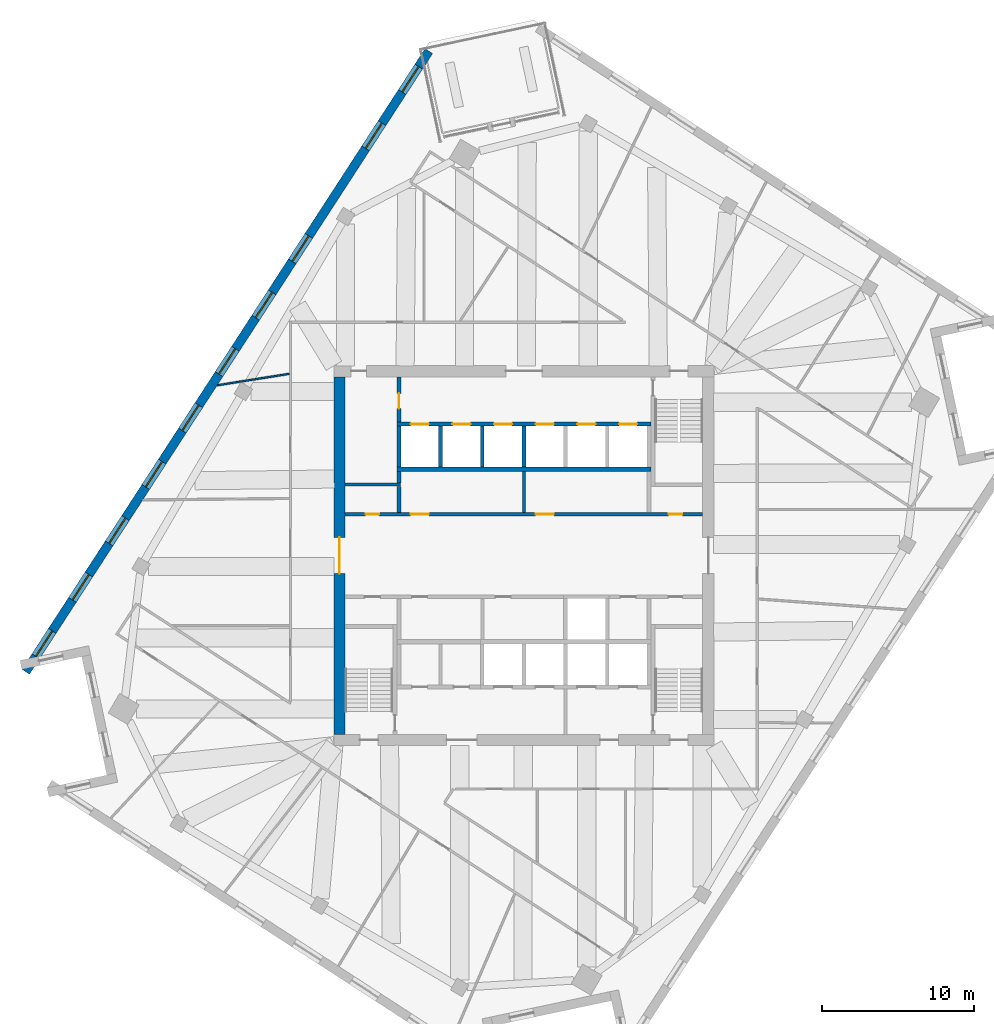
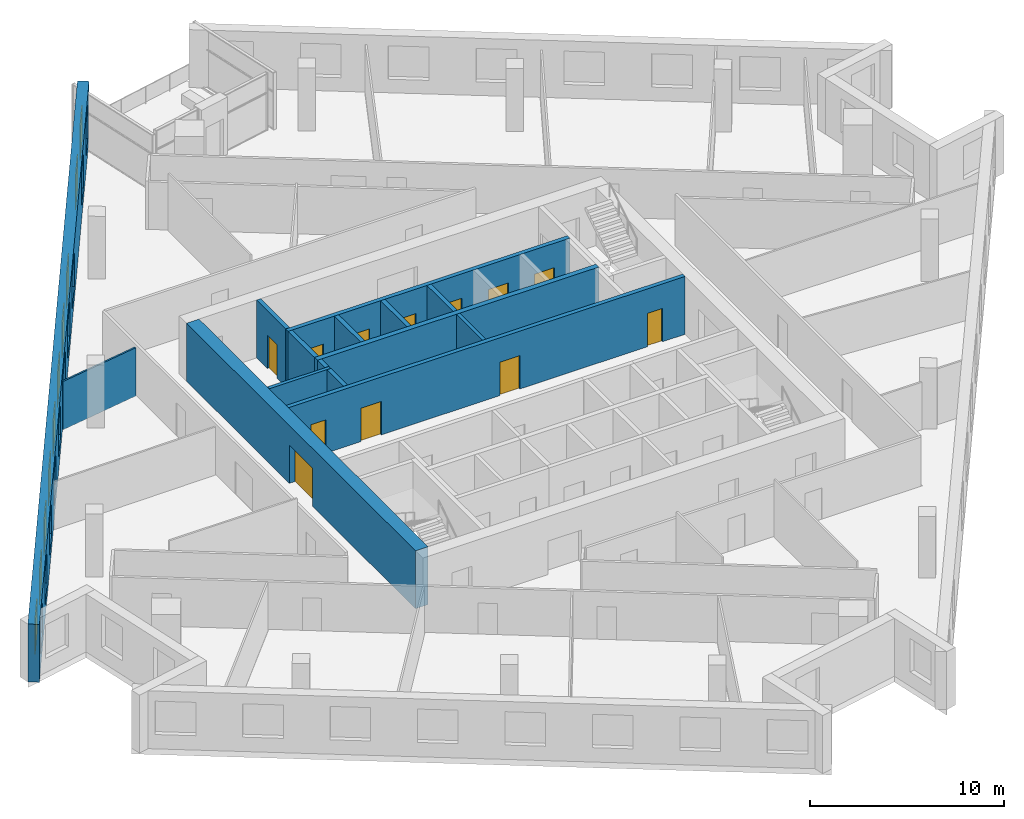
# One storey, part 8 of 12: 15 walls, 12 doors, 10 windows, 22 openings.
"""IFC4 building model written with IfcOpenShell, lengths in metres."""

from ifc_helpers import new_model, si_unit, direction, frame, frame_2d, origin, place, context, subcontext, project, spatial, rectangle, extrude, material, layer, layer_set, type_object, element, fill, save


model = new_model("IFC4")

# Units and contexts
model_context = context("Model", 3, precision=1e-05, world=origin(), true_north=direction((0.0, 1.0)))
body_context = subcontext(model_context, "Body", "Model", "MODEL_VIEW")
ifc_project = project(units=[si_unit("LENGTHUNIT", "METRE"), si_unit("AREAUNIT", "SQUARE_METRE"), si_unit("VOLUMEUNIT", "CUBIC_METRE"), si_unit("PLANEANGLEUNIT", "RADIAN"), si_unit("MASSUNIT", "GRAM", prefix="KILO")], contexts=[model_context])

# Site, building, storey
site_placement = place(None, origin())
site = spatial("IfcSite", under=ifc_project, at=site_placement, CompositionType="ELEMENT")
building_placement = place(site_placement, origin())
building = spatial("IfcBuilding", under=site, at=building_placement, Name="Dilmun Exchange Tower", CompositionType="ELEMENT")
storey_placement = place(building_placement, frame((0.0, 0.0, 258.89990234375)))
storey = spatial("IfcBuildingStorey", under=building, at=storey_placement, Name="L61", CompositionType="ELEMENT", Elevation=258.89990234375)

# Walls
ifc_material_1 = material(Name="Concrete C40/50", Category="concrete")
ifc_layer_1 = layer(ifc_material_1, 0.199951171875)
ifc_layer_set_1 = layer_set([ifc_layer_1], Name="Concrete C40/50")
wall_type_1 = type_object("IfcWallType", Name="Core partition wall 200", PredefinedType="PARTITIONING", material=ifc_layer_set_1)
wall_1_placement = place(storey_placement, frame((0.0, 2.85498046875, 0.0), z_axis=(0.0, 0.0, 1.0), x_axis=(0.0, 1.0, 0.0)))
element("IfcWall", 1, at=wall_1_placement, inside=storey, type_object=wall_type_1, Name="L61 core partition wall 13", PredefinedType="PARTITIONING", context=body_context, shape_type="SweptSolid", body=[
    extrude(rectangle(XDim=2.68994140625, YDim=0.199951171875, at=frame_2d((1.344970703125, 0.0))), origin(), (0.0, 0.0, 1.0), 3.64013671875),
])
wall_2_placement = place(storey_placement, frame((-11.794921875, 4.675048828125, 0.0), z_axis=(0.0, 0.0, 1.0), x_axis=(1.0, 0.0, 0.0)))
element("IfcWall", 2, at=wall_2_placement, inside=storey, type_object=wall_type_1, Name="L61 core partition wall 15", PredefinedType="PARTITIONING", context=body_context, shape_type="SweptSolid", body=[
    extrude(rectangle(XDim=3.64501953125, YDim=0.199951171875, at=frame_2d((1.822509765625, 0.0))), origin(), (0.0, 0.0, 1.0), 3.64013671875),
])

# Wall, openings, doors
ifc_layer_2 = layer(ifc_material_1, 0.25)
ifc_layer_set_2 = layer_set([ifc_layer_2], Name="Concrete C40/50")
wall_type_2 = type_object("IfcWallType", Name="Core partition wall 250", PredefinedType="PARTITIONING", material=ifc_layer_set_2)
wall_3_placement = place(storey_placement, frame((-11.794921875, 2.72509765625, 0.0), z_axis=(0.0, 0.0, 1.0), x_axis=(1.0, 0.0, 0.0)))
wall_3 = element("IfcWall", 3, at=wall_3_placement, inside=storey, type_object=wall_type_2, Name="L61 core partition wall 11", PredefinedType="PARTITIONING", context=body_context, shape_type="SweptSolid", body=[
    extrude(rectangle(XDim=23.58984375, YDim=0.25, at=frame_2d((11.794921875, 0.0))), origin(), (0.0, 0.0, 1.0), 3.64013671875),
])
opening_1_placement = place(wall_3_placement, frame((21.344970703125, 0.0, 0.0)))
opening_1 = element("IfcOpeningElement", 4, at=opening_1_placement, cuts=wall_3, Name="Opening CD6", PredefinedType="OPENING", context=body_context, shape_type="SweptSolid", body=[
    extrude(rectangle(XDim=0.89990234375, YDim=2.10009765625, at=frame_2d((0.449951171875, 1.050048828125))), frame((0.0, 0.135009765625, 0.0), z_axis=(0.0, -1.0, 0.0), x_axis=(1.0, 0.0, 0.0)), (0.0, 0.0, 1.0), 0.27001953125),
])
opening_2_placement = place(wall_3_placement, frame((1.344970703125, 0.0, 0.0)))
opening_2 = element("IfcOpeningElement", 5, at=opening_2_placement, cuts=wall_3, Name="Opening CD6", PredefinedType="OPENING", context=body_context, shape_type="SweptSolid", body=[
    extrude(rectangle(XDim=0.89990234375, YDim=2.10009765625, at=frame_2d((0.449951171875, 1.050048828125))), frame((0.0, 0.135009765625, 0.0), z_axis=(0.0, -1.0, 0.0), x_axis=(1.0, 0.0, 0.0)), (0.0, 0.0, 1.0), 0.27001953125),
])
opening_3_placement = place(wall_3_placement, frame((4.320068359375, 0.0, 0.0)))
opening_3 = element("IfcOpeningElement", 6, at=opening_3_placement, cuts=wall_3, Name="Opening CD3", PredefinedType="OPENING", context=body_context, shape_type="SweptSolid", body=[
    extrude(rectangle(XDim=1.199951171875, YDim=2.10009765625, at=frame_2d((0.60009765625, 1.050048828125))), frame((0.0, 0.135009765625, 0.0), z_axis=(0.0, -1.0, 0.0), x_axis=(1.0, 0.0, 0.0)), (0.0, 0.0, 1.0), 0.27001953125),
])
opening_4_placement = place(wall_3_placement, frame((12.570068359375, 0.0, 0.0)))
opening_4 = element("IfcOpeningElement", 7, at=opening_4_placement, cuts=wall_3, Name="Opening CD3", PredefinedType="OPENING", context=body_context, shape_type="SweptSolid", body=[
    extrude(rectangle(XDim=1.199951171875, YDim=2.10009765625, at=frame_2d((0.60009765625, 1.050048828125))), frame((0.0, 0.135009765625, 0.0), z_axis=(0.0, -1.0, 0.0), x_axis=(1.0, 0.0, 0.0)), (0.0, 0.0, 1.0), 0.27001953125),
])
ifc_material_2 = material(Name="Fire-rated steel door set", Category="steel")
door_type_1 = type_object("IfcDoorType", Name="Core room door 900x2100", OperationType="SINGLE_SWING_LEFT", PredefinedType="DOOR", material=ifc_material_2)
door_1_placement = place(opening_1_placement, origin())
door_1 = element("IfcDoor", 8, at=door_1_placement, inside=storey, type_object=door_type_1, Name="L61 door Electrical riser", OperationType="SINGLE_SWING_RIGHT", OverallHeight=2.10009765625, OverallWidth=0.89990234375, PredefinedType="DOOR", context=body_context, shape_type="SweptSolid", body=[
    extrude(rectangle(XDim=0.89990234375, YDim=2.10009765625, at=frame_2d((0.449951171875, 1.050048828125))), frame((0.0, 0.02490234375, 0.0), z_axis=(0.0, -1.0, 0.0), x_axis=(1.0, 0.0, 0.0)), (0.0, 0.0, 1.0), 0.050048828125),
])
fill(opening_1, door_1)
door_2_placement = place(opening_2_placement, origin())
door_2 = element("IfcDoor", 9, at=door_2_placement, inside=storey, type_object=door_type_1, Name="L61 door Plumbing riser", OperationType="SINGLE_SWING_RIGHT", OverallHeight=2.10009765625, OverallWidth=0.89990234375, PredefinedType="DOOR", context=body_context, shape_type="SweptSolid", body=[
    extrude(rectangle(XDim=0.89990234375, YDim=2.10009765625, at=frame_2d((0.449951171875, 1.050048828125))), frame((0.0, 0.02490234375, 0.0), z_axis=(0.0, -1.0, 0.0), x_axis=(1.0, 0.0, 0.0)), (0.0, 0.0, 1.0), 0.050048828125),
])
fill(opening_2, door_2)
door_type_2 = type_object("IfcDoorType", Name="Stair exit door 1200x2100", OperationType="SINGLE_SWING_LEFT", PredefinedType="DOOR", material=ifc_material_2)
door_3_placement = place(opening_3_placement, origin())
door_3 = element("IfcDoor", 10, at=door_3_placement, inside=storey, type_object=door_type_2, Name="L61 door Facilities workshop", OperationType="SINGLE_SWING_LEFT", OverallHeight=2.10009765625, OverallWidth=1.199951171875, PredefinedType="DOOR", context=body_context, shape_type="SweptSolid", body=[
    extrude(rectangle(XDim=1.199951171875, YDim=2.10009765625, at=frame_2d((0.60009765625, 1.050048828125))), frame((0.0, 0.02490234375, 0.0), z_axis=(0.0, -1.0, 0.0), x_axis=(1.0, 0.0, 0.0)), (0.0, 0.0, 1.0), 0.050048828125),
])
fill(opening_3, door_3)
door_4_placement = place(opening_4_placement, origin())
door_4 = element("IfcDoor", 11, at=door_4_placement, inside=storey, type_object=door_type_2, Name="L61 door Quiet working room", OperationType="SINGLE_SWING_LEFT", OverallHeight=2.10009765625, OverallWidth=1.199951171875, PredefinedType="DOOR", context=body_context, shape_type="SweptSolid", body=[
    extrude(rectangle(XDim=1.199951171875, YDim=2.10009765625, at=frame_2d((0.60009765625, 1.050048828125))), frame((0.0, 0.02490234375, 0.0), z_axis=(0.0, -1.0, 0.0), x_axis=(1.0, 0.0, 0.0)), (0.0, 0.0, 1.0), 0.050048828125),
])
fill(opening_4, door_4)

# Walls
wall_4_placement = place(storey_placement, frame((-8.25, 2.85498046875, 0.0), z_axis=(0.0, 0.0, 1.0), x_axis=(0.0, 1.0, 0.0)))
element("IfcWall", 12, at=wall_4_placement, inside=storey, type_object=wall_type_2, Name="L61 core partition wall 12", PredefinedType="PARTITIONING", context=body_context, shape_type="SweptSolid", body=[
    extrude(rectangle(XDim=1.715087890625, YDim=0.25, at=frame_2d((0.857421875, 0.0))), origin(), (0.0, 0.0, 1.0), 3.64013671875),
])
wall_5_placement = place(storey_placement, frame((-8.25, 4.780029296875, 0.0), z_axis=(0.0, 0.0, 1.0), x_axis=(0.0, 1.0, 0.0)))
element("IfcWall", 13, at=wall_5_placement, inside=storey, type_object=wall_type_2, Name="L61 core partition wall 16", PredefinedType="PARTITIONING", context=body_context, shape_type="SweptSolid", body=[
    extrude(rectangle(XDim=0.764892578125, YDim=0.25, at=frame_2d((0.38232421875, 0.0))), origin(), (0.0, 0.0, 1.0), 3.64013671875),
])

# Wall, opening, door
wall_6_placement = place(storey_placement, frame((-8.25, 8.804931640625, 0.0), z_axis=(0.0, 0.0, 1.0), x_axis=(0.0, 1.0, 0.0)))
wall_6 = element("IfcWall", 14, at=wall_6_placement, inside=storey, type_object=wall_type_2, Name="L61 core partition wall 17", PredefinedType="PARTITIONING", context=body_context, shape_type="SweptSolid", body=[
    extrude(rectangle(XDim=2.989990234375, YDim=0.25, at=frame_2d((1.4951171875, 0.0))), origin(), (0.0, 0.0, 1.0), 3.64013671875),
])
opening_5_placement = place(wall_6_placement, frame((0.89501953125, 0.0, 0.0)))
opening_5 = element("IfcOpeningElement", 15, at=opening_5_placement, cuts=wall_6, Name="Opening CD4", PredefinedType="OPENING", context=body_context, shape_type="SweptSolid", body=[
    extrude(rectangle(XDim=1.0, YDim=2.10009765625, at=frame_2d((0.5, 1.050048828125))), frame((0.0, 0.135009765625, 0.0), z_axis=(0.0, -1.0, 0.0), x_axis=(1.0, 0.0, 0.0)), (0.0, 0.0, 1.0), 0.27001953125),
])
door_type_3 = type_object("IfcDoorType", Name="Core room door 1000x2100", OperationType="SINGLE_SWING_LEFT", PredefinedType="DOOR", material=ifc_material_2)
door_5_placement = place(opening_5_placement, origin())
door_5 = element("IfcDoor", 16, at=door_5_placement, inside=storey, type_object=door_type_3, Name="L61 door Building services room", OperationType="SINGLE_SWING_RIGHT", OverallHeight=2.10009765625, OverallWidth=1.0, PredefinedType="DOOR", context=body_context, shape_type="SweptSolid", body=[
    extrude(rectangle(XDim=1.0, YDim=2.10009765625, at=frame_2d((0.5, 1.050048828125))), frame((0.0, 0.02490234375, 0.0), z_axis=(0.0, -1.0, 0.0), x_axis=(1.0, 0.0, 0.0)), (0.0, 0.0, 1.0), 0.050048828125),
])
fill(opening_5, door_5)

ifc_material_3 = material(Name="Concrete C50/60", Category="concrete")
ifc_layer_3 = layer(ifc_material_3, 0.75)
ifc_layer_set_3 = layer_set([ifc_layer_3], Name="Concrete C50/60")
wall_type_3 = type_object("IfcWallType", Name="Core shear wall 750 Concrete C50/60", PredefinedType="SHEAR", material=ifc_layer_set_3)
wall_7_placement = place(storey_placement, frame((-12.175048828125, -11.800048828125, 0.0), z_axis=(0.0, 0.0, 1.0), x_axis=(0.0, 1.0, 0.0)))
wall_7 = element("IfcWall", 17, at=wall_7_placement, inside=storey, type_object=wall_type_3, Name="L61 core shear wall W", PredefinedType="SHEAR", context=body_context, shape_type="SweptSolid", body=[
    extrude(rectangle(XDim=23.60009765625, YDim=0.75, at=frame_2d((11.800048828125, 0.0))), origin(), (0.0, 0.0, 1.0), 3.64013671875),
])
opening_6_placement = place(wall_7_placement, frame((10.60009765625, 0.0, 0.0)))
opening_6 = element("IfcOpeningElement", 18, at=opening_6_placement, cuts=wall_7, Name="Opening CD1", PredefinedType="OPENING", context=body_context, shape_type="SweptSolid", body=[
    extrude(rectangle(XDim=2.39990234375, YDim=2.39990234375, at=frame_2d((1.199951171875, 1.199951171875))), frame((0.0, 0.385009765625, 0.0), z_axis=(0.0, -1.0, 0.0), x_axis=(1.0, 0.0, 0.0)), (0.0, 0.0, 1.0), 0.77001953125),
])
door_type_4 = type_object("IfcDoorType", Name="Core lobby door 2400x2400", OperationType="DOUBLE_DOOR_DOUBLE_SWING", PredefinedType="DOOR", material=ifc_material_2)
door_6_placement = place(opening_6_placement, origin())
door_6 = element("IfcDoor", 19, at=door_6_placement, inside=storey, type_object=door_type_4, Name="L61 door Central lift lobby", OperationType="SINGLE_SWING_LEFT", OverallHeight=2.39990234375, OverallWidth=2.39990234375, PredefinedType="DOOR", context=body_context, shape_type="SweptSolid", body=[
    extrude(rectangle(XDim=2.39990234375, YDim=2.39990234375, at=frame_2d((1.199951171875, 1.199951171875))), frame((0.0, 0.02490234375, 0.0), z_axis=(0.0, -1.0, 0.0), x_axis=(1.0, 0.0, 0.0)), (0.0, 0.0, 1.0), 0.050048828125),
])
fill(opening_6, door_6)

# Wall
ifc_layer_4 = layer(ifc_material_1, 0.300048828125)
ifc_layer_set_4 = layer_set([ifc_layer_4], Name="Concrete C40/50")
wall_type_4 = type_object("IfcWallType", Name="Lift shaft shared wall 300", PredefinedType="SOLIDWALL", material=ifc_layer_set_4)
wall_8_placement = place(storey_placement, frame((-8.375, 5.699951171875, 0.0), z_axis=(0.0, 0.0, 1.0), x_axis=(1.0, 0.0, 0.0)))
element("IfcWall", 20, at=wall_8_placement, inside=storey, type_object=wall_type_4, Name="L61 lift shaft rear wall N", PredefinedType="SOLIDWALL", context=body_context, shape_type="SweptSolid", body=[
    extrude(rectangle(XDim=16.75, YDim=0.300048828125, at=frame_2d((8.375, 0.0))), origin(), (0.0, 0.0, 1.0), 3.64013671875),
])

# Wall, openings, doors
ifc_layer_5 = layer(ifc_material_1, 0.25)
ifc_layer_set_5 = layer_set([ifc_layer_5], Name="Concrete C40/50")
wall_type_5 = type_object("IfcWallType", Name="Lift shaft wall 250", PredefinedType="SOLIDWALL", material=ifc_layer_set_5)
wall_9_placement = place(storey_placement, frame((-8.375, 8.675048828125, 0.0), z_axis=(0.0, 0.0, 1.0), x_axis=(1.0, 0.0, 0.0)))
wall_9 = element("IfcWall", 21, at=wall_9_placement, inside=storey, type_object=wall_type_5, Name="L61 lift shaft front wall N2", PredefinedType="SOLIDWALL", context=body_context, shape_type="SweptSolid", body=[
    extrude(rectangle(XDim=16.75, YDim=0.25, at=frame_2d((8.375, 0.0))), origin(), (0.0, 0.0, 1.0), 3.64013671875),
])
opening_7_placement = place(wall_9_placement, frame((0.89990234375, 0.0, 0.0)))
opening_7 = element("IfcOpeningElement", 22, at=opening_7_placement, cuts=wall_9, Name="Opening LD", PredefinedType="OPENING", context=body_context, shape_type="SweptSolid", body=[
    extrude(rectangle(XDim=1.199951171875, YDim=2.10009765625, at=frame_2d((0.60009765625, 1.050048828125))), frame((0.0, 0.135009765625, 0.0), z_axis=(0.0, -1.0, 0.0), x_axis=(1.0, 0.0, 0.0)), (0.0, 0.0, 1.0), 0.27001953125),
])
opening_8_placement = place(wall_9_placement, frame((3.64990234375, 0.0, 0.0)))
opening_8 = element("IfcOpeningElement", 23, at=opening_8_placement, cuts=wall_9, Name="Opening LD", PredefinedType="OPENING", context=body_context, shape_type="SweptSolid", body=[
    extrude(rectangle(XDim=1.199951171875, YDim=2.10009765625, at=frame_2d((0.60009765625, 1.050048828125))), frame((0.0, 0.135009765625, 0.0), z_axis=(0.0, -1.0, 0.0), x_axis=(1.0, 0.0, 0.0)), (0.0, 0.0, 1.0), 0.27001953125),
])
opening_9_placement = place(wall_9_placement, frame((6.39990234375, 0.0, 0.0)))
opening_9 = element("IfcOpeningElement", 24, at=opening_9_placement, cuts=wall_9, Name="Opening LD", PredefinedType="OPENING", context=body_context, shape_type="SweptSolid", body=[
    extrude(rectangle(XDim=1.199951171875, YDim=2.10009765625, at=frame_2d((0.60009765625, 1.050048828125))), frame((0.0, 0.135009765625, 0.0), z_axis=(0.0, -1.0, 0.0), x_axis=(1.0, 0.0, 0.0)), (0.0, 0.0, 1.0), 0.27001953125),
])
opening_10_placement = place(wall_9_placement, frame((9.14990234375, 0.0, 0.0)))
opening_10 = element("IfcOpeningElement", 25, at=opening_10_placement, cuts=wall_9, Name="Opening LD", PredefinedType="OPENING", context=body_context, shape_type="SweptSolid", body=[
    extrude(rectangle(XDim=1.199951171875, YDim=2.10009765625, at=frame_2d((0.60009765625, 1.050048828125))), frame((0.0, 0.135009765625, 0.0), z_axis=(0.0, -1.0, 0.0), x_axis=(1.0, 0.0, 0.0)), (0.0, 0.0, 1.0), 0.27001953125),
])
opening_11_placement = place(wall_9_placement, frame((11.89990234375, 0.0, 0.0)))
opening_11 = element("IfcOpeningElement", 26, at=opening_11_placement, cuts=wall_9, Name="Opening LD", PredefinedType="OPENING", context=body_context, shape_type="SweptSolid", body=[
    extrude(rectangle(XDim=1.199951171875, YDim=2.10009765625, at=frame_2d((0.60009765625, 1.050048828125))), frame((0.0, 0.135009765625, 0.0), z_axis=(0.0, -1.0, 0.0), x_axis=(1.0, 0.0, 0.0)), (0.0, 0.0, 1.0), 0.27001953125),
])
opening_12_placement = place(wall_9_placement, frame((14.64990234375, 0.0, 0.0)))
opening_12 = element("IfcOpeningElement", 27, at=opening_12_placement, cuts=wall_9, Name="Opening LD", PredefinedType="OPENING", context=body_context, shape_type="SweptSolid", body=[
    extrude(rectangle(XDim=1.199951171875, YDim=2.10009765625, at=frame_2d((0.60009765625, 1.050048828125))), frame((0.0, 0.135009765625, 0.0), z_axis=(0.0, -1.0, 0.0), x_axis=(1.0, 0.0, 0.0)), (0.0, 0.0, 1.0), 0.27001953125),
])
door_type_5 = type_object("IfcDoorType", Name="Lift landing door 1200x2100", OperationType="DOUBLE_DOOR_SLIDING", PredefinedType="DOOR", material=ifc_material_2)
door_7_placement = place(opening_7_placement, origin())
door_7 = element("IfcDoor", 28, at=door_7_placement, inside=storey, type_object=door_type_5, Name="L61 landing door HR1", OperationType="DOUBLE_DOOR_SLIDING", OverallHeight=2.10009765625, OverallWidth=1.199951171875, PredefinedType="DOOR", context=body_context, shape_type="SweptSolid", body=[
    extrude(rectangle(XDim=1.199951171875, YDim=2.10009765625, at=frame_2d((0.60009765625, 1.050048828125))), frame((0.0, 0.02490234375, 0.0), z_axis=(0.0, -1.0, 0.0), x_axis=(1.0, 0.0, 0.0)), (0.0, 0.0, 1.0), 0.050048828125),
])
fill(opening_7, door_7)
door_8_placement = place(opening_8_placement, origin())
door_8 = element("IfcDoor", 29, at=door_8_placement, inside=storey, type_object=door_type_5, Name="L61 landing door HR2", OperationType="DOUBLE_DOOR_SLIDING", OverallHeight=2.10009765625, OverallWidth=1.199951171875, PredefinedType="DOOR", context=body_context, shape_type="SweptSolid", body=[
    extrude(rectangle(XDim=1.199951171875, YDim=2.10009765625, at=frame_2d((0.60009765625, 1.050048828125))), frame((0.0, 0.02490234375, 0.0), z_axis=(0.0, -1.0, 0.0), x_axis=(1.0, 0.0, 0.0)), (0.0, 0.0, 1.0), 0.050048828125),
])
fill(opening_8, door_8)
door_9_placement = place(opening_9_placement, origin())
door_9 = element("IfcDoor", 30, at=door_9_placement, inside=storey, type_object=door_type_5, Name="L61 landing door HR3", OperationType="DOUBLE_DOOR_SLIDING", OverallHeight=2.10009765625, OverallWidth=1.199951171875, PredefinedType="DOOR", context=body_context, shape_type="SweptSolid", body=[
    extrude(rectangle(XDim=1.199951171875, YDim=2.10009765625, at=frame_2d((0.60009765625, 1.050048828125))), frame((0.0, 0.02490234375, 0.0), z_axis=(0.0, -1.0, 0.0), x_axis=(1.0, 0.0, 0.0)), (0.0, 0.0, 1.0), 0.050048828125),
])
fill(opening_9, door_9)
door_10_placement = place(opening_10_placement, origin())
door_10 = element("IfcDoor", 31, at=door_10_placement, inside=storey, type_object=door_type_5, Name="L61 landing door HR4", OperationType="DOUBLE_DOOR_SLIDING", OverallHeight=2.10009765625, OverallWidth=1.199951171875, PredefinedType="DOOR", context=body_context, shape_type="SweptSolid", body=[
    extrude(rectangle(XDim=1.199951171875, YDim=2.10009765625, at=frame_2d((0.60009765625, 1.050048828125))), frame((0.0, 0.02490234375, 0.0), z_axis=(0.0, -1.0, 0.0), x_axis=(1.0, 0.0, 0.0)), (0.0, 0.0, 1.0), 0.050048828125),
])
fill(opening_10, door_10)
door_11_placement = place(opening_11_placement, origin())
door_11 = element("IfcDoor", 32, at=door_11_placement, inside=storey, type_object=door_type_5, Name="L61 landing door HR5", OperationType="DOUBLE_DOOR_SLIDING", OverallHeight=2.10009765625, OverallWidth=1.199951171875, PredefinedType="DOOR", context=body_context, shape_type="SweptSolid", body=[
    extrude(rectangle(XDim=1.199951171875, YDim=2.10009765625, at=frame_2d((0.60009765625, 1.050048828125))), frame((0.0, 0.02490234375, 0.0), z_axis=(0.0, -1.0, 0.0), x_axis=(1.0, 0.0, 0.0)), (0.0, 0.0, 1.0), 0.050048828125),
])
fill(opening_11, door_11)
door_12_placement = place(opening_12_placement, origin())
door_12 = element("IfcDoor", 33, at=door_12_placement, inside=storey, type_object=door_type_5, Name="L61 landing door HR6", OperationType="DOUBLE_DOOR_SLIDING", OverallHeight=2.10009765625, OverallWidth=1.199951171875, PredefinedType="DOOR", context=body_context, shape_type="SweptSolid", body=[
    extrude(rectangle(XDim=1.199951171875, YDim=2.10009765625, at=frame_2d((0.60009765625, 1.050048828125))), frame((0.0, 0.02490234375, 0.0), z_axis=(0.0, -1.0, 0.0), x_axis=(1.0, 0.0, 0.0)), (0.0, 0.0, 1.0), 0.050048828125),
])
fill(opening_12, door_12)

# Walls
for number, where, z_axis, x_axis, name in (
    (34, (-8.25, 5.85009765625, 0.0), (0.0, 0.0, 1.0), (0.0, 1.0, 0.0), "L61 lift shaft divider N20"),
    (35, (-5.5, 5.85009765625, 0.0), (0.0, 0.0, 1.0), (0.0, 1.0, 0.0), "L61 lift shaft divider N21"),
    (36, (-2.75, 5.85009765625, 0.0), (0.0, 0.0, 1.0), (0.0, 1.0, 0.0), "L61 lift shaft divider N22"),
    (37, (0.0, 5.85009765625, 0.0), (0.0, 0.0, 1.0), (0.0, 1.0, 0.0), "L61 lift shaft divider N23"),
):
    element("IfcWall", number, at=place(storey_placement, frame(where, z_axis=z_axis, x_axis=x_axis)), inside=storey, type_object=wall_type_5, Name=name, PredefinedType="SOLIDWALL", context=body_context, shape_type="SweptSolid", body=[
        extrude(rectangle(XDim=2.699951171875, YDim=0.25, at=frame_2d((1.35009765625, 0.0))), origin(), (0.0, 0.0, 1.0), 3.64013671875),
    ])
ifc_material_4 = material(Name="Partition 100")
ifc_layer_6 = layer(ifc_material_4, 0.10009765625)
ifc_layer_set_6 = layer_set([ifc_layer_6], Name="Partition 100")
wall_type_6 = type_object("IfcWallType", Name="Partition 100", PredefinedType="PARTITIONING", material=ifc_layer_set_6)
wall_10_placement = place(storey_placement, frame((-20.244140625, 11.236572265625, 0.0), z_axis=(0.0, 0.0, 1.0), x_axis=(0.987553505834, 0.157283416528, 0.0)))
element("IfcWall", 38, at=wall_10_placement, inside=storey, type_object=wall_type_6, Name="Partition", PredefinedType="PARTITIONING", context=body_context, shape_type="SweptSolid", body=[
    extrude(rectangle(XDim=4.8212890625, YDim=0.10009765625, at=frame_2d((2.41064453125, 0.0))), origin(), (0.0, 0.0, 1.0), 3.0400390625),
])

# Wall, openings, windows
ifc_material_5 = material(Name="Precast concrete C50/60", Category="concrete")
ifc_layer_7 = layer(ifc_material_5, 0.60009765625)
ifc_layer_set_7 = layer_set([ifc_layer_7], Name="Precast concrete C50/60")
wall_type_7 = type_object("IfcWallType", Name="Precast stone-clad wall 600", PredefinedType="STANDARD", material=ifc_layer_set_7)
wall_11_placement = place(storey_placement, frame((-6.28125, 33.2919921875, 0.0), z_axis=(0.0, 0.0, 1.0), x_axis=(-0.544637268583, -0.838671715077, 0.0)))
wall_11 = element("IfcWall", 39, at=wall_11_placement, inside=storey, type_object=wall_type_7, Name="Facade wall L61-03", PredefinedType="STANDARD", context=body_context, shape_type="SweptSolid", body=[
    extrude(rectangle(XDim=48.84326171875, YDim=0.60009765625, at=frame_2d((24.421630859375, 0.0))), origin(), (0.0, 0.0, 1.0), 3.64013671875),
])
opening_13_placement = place(wall_11_placement, frame((1.22021484375, 0.0, 0.89990234375)))
opening_13 = element("IfcOpeningElement", 40, at=opening_13_placement, cuts=wall_11, Name="Opening W200-210", PredefinedType="OPENING", context=body_context, shape_type="SweptSolid", body=[
    extrude(rectangle(XDim=2.0, YDim=2.10009765625, at=frame_2d((1.0, 1.050048828125))), frame((0.0, 0.31005859375, 0.0), z_axis=(0.0, -1.0, 0.0), x_axis=(1.0, 0.0, 0.0)), (0.0, 0.0, 1.0), 0.6201171875),
])
opening_14_placement = place(wall_11_placement, frame((5.660400390625, 0.0, 0.89990234375)))
opening_14 = element("IfcOpeningElement", 41, at=opening_14_placement, cuts=wall_11, Name="Opening W200-210", PredefinedType="OPENING", context=body_context, shape_type="SweptSolid", body=[
    extrude(rectangle(XDim=2.0, YDim=2.10009765625, at=frame_2d((1.0, 1.050048828125))), frame((0.0, 0.31005859375, 0.0), z_axis=(0.0, -1.0, 0.0), x_axis=(1.0, 0.0, 0.0)), (0.0, 0.0, 1.0), 0.6201171875),
])
opening_15_placement = place(wall_11_placement, frame((14.541015625, 0.0, 0.89990234375)))
opening_15 = element("IfcOpeningElement", 42, at=opening_15_placement, cuts=wall_11, Name="Opening W200-210", PredefinedType="OPENING", context=body_context, shape_type="SweptSolid", body=[
    extrude(rectangle(XDim=2.0, YDim=2.10009765625, at=frame_2d((1.0, 1.050048828125))), frame((0.0, 0.31005859375, 0.0), z_axis=(0.0, -1.0, 0.0), x_axis=(1.0, 0.0, 0.0)), (0.0, 0.0, 1.0), 0.6201171875),
])
opening_16_placement = place(wall_11_placement, frame((18.981201171875, 0.0, 0.89990234375)))
opening_16 = element("IfcOpeningElement", 43, at=opening_16_placement, cuts=wall_11, Name="Opening W200-210", PredefinedType="OPENING", context=body_context, shape_type="SweptSolid", body=[
    extrude(rectangle(XDim=2.0, YDim=2.10009765625, at=frame_2d((1.0, 1.050048828125))), frame((0.0, 0.31005859375, 0.0), z_axis=(0.0, -1.0, 0.0), x_axis=(1.0, 0.0, 0.0)), (0.0, 0.0, 1.0), 0.6201171875),
])
opening_17_placement = place(wall_11_placement, frame((23.421630859375, 0.0, 0.89990234375)))
opening_17 = element("IfcOpeningElement", 44, at=opening_17_placement, cuts=wall_11, Name="Opening W200-210", PredefinedType="OPENING", context=body_context, shape_type="SweptSolid", body=[
    extrude(rectangle(XDim=2.0, YDim=2.10009765625, at=frame_2d((1.0, 1.050048828125))), frame((0.0, 0.31005859375, 0.0), z_axis=(0.0, -1.0, 0.0), x_axis=(1.0, 0.0, 0.0)), (0.0, 0.0, 1.0), 0.6201171875),
])
opening_18_placement = place(wall_11_placement, frame((27.86181640625, 0.0, 0.89990234375)))
opening_18 = element("IfcOpeningElement", 45, at=opening_18_placement, cuts=wall_11, Name="Opening W200-210", PredefinedType="OPENING", context=body_context, shape_type="SweptSolid", body=[
    extrude(rectangle(XDim=2.0, YDim=2.10009765625, at=frame_2d((1.0, 1.050048828125))), frame((0.0, 0.31005859375, 0.0), z_axis=(0.0, -1.0, 0.0), x_axis=(1.0, 0.0, 0.0)), (0.0, 0.0, 1.0), 0.6201171875),
])
opening_19_placement = place(wall_11_placement, frame((32.302001953125, 0.0, 0.89990234375)))
opening_19 = element("IfcOpeningElement", 46, at=opening_19_placement, cuts=wall_11, Name="Opening W200-210", PredefinedType="OPENING", context=body_context, shape_type="SweptSolid", body=[
    extrude(rectangle(XDim=2.0, YDim=2.10009765625, at=frame_2d((1.0, 1.050048828125))), frame((0.0, 0.31005859375, 0.0), z_axis=(0.0, -1.0, 0.0), x_axis=(1.0, 0.0, 0.0)), (0.0, 0.0, 1.0), 0.6201171875),
])
opening_20_placement = place(wall_11_placement, frame((36.742431640625, 0.0, 0.89990234375)))
opening_20 = element("IfcOpeningElement", 47, at=opening_20_placement, cuts=wall_11, Name="Opening W200-210", PredefinedType="OPENING", context=body_context, shape_type="SweptSolid", body=[
    extrude(rectangle(XDim=2.0, YDim=2.10009765625, at=frame_2d((1.0, 1.050048828125))), frame((0.0, 0.31005859375, 0.0), z_axis=(0.0, -1.0, 0.0), x_axis=(1.0, 0.0, 0.0)), (0.0, 0.0, 1.0), 0.6201171875),
])
opening_21_placement = place(wall_11_placement, frame((41.1826171875, 0.0, 0.89990234375)))
opening_21 = element("IfcOpeningElement", 48, at=opening_21_placement, cuts=wall_11, Name="Opening W200-210", PredefinedType="OPENING", context=body_context, shape_type="SweptSolid", body=[
    extrude(rectangle(XDim=2.0, YDim=2.10009765625, at=frame_2d((1.0, 1.050048828125))), frame((0.0, 0.31005859375, 0.0), z_axis=(0.0, -1.0, 0.0), x_axis=(1.0, 0.0, 0.0)), (0.0, 0.0, 1.0), 0.6201171875),
])
opening_22_placement = place(wall_11_placement, frame((45.623046875, 0.0, 0.89990234375)))
opening_22 = element("IfcOpeningElement", 49, at=opening_22_placement, cuts=wall_11, Name="Opening W200-210", PredefinedType="OPENING", context=body_context, shape_type="SweptSolid", body=[
    extrude(rectangle(XDim=2.0, YDim=2.10009765625, at=frame_2d((1.0, 1.050048828125))), frame((0.0, 0.31005859375, 0.0), z_axis=(0.0, -1.0, 0.0), x_axis=(1.0, 0.0, 0.0)), (0.0, 0.0, 1.0), 0.6201171875),
])
ifc_material_6 = material(Name="Clear low-emissivity glass in aluminium frame", Category="aluminium")
window_type = type_object("IfcWindowType", Name="Punched window 2000 x 2100", PartitioningType="DOUBLE_PANEL_VERTICAL", PredefinedType="WINDOW", material=ifc_material_6)
window_1_placement = place(opening_13_placement, origin())
window_1 = element("IfcWindow", 50, at=window_1_placement, inside=storey, type_object=window_type, Name="Window 4.1", OverallHeight=2.10009765625, OverallWidth=2.0, PartitioningType="SINGLE_PANEL", PredefinedType="WINDOW", context=body_context, shape_type="SweptSolid", body=[
    extrude(rectangle(XDim=2.0, YDim=2.10009765625, at=frame_2d((1.0, 1.050048828125))), frame((0.0, 0.030029296875, 0.0), z_axis=(0.0, -1.0, 0.0), x_axis=(1.0, 0.0, 0.0)), (0.0, 0.0, 1.0), 0.06005859375),
])
fill(opening_13, window_1)
window_2_placement = place(opening_14_placement, origin())
window_2 = element("IfcWindow", 51, at=window_2_placement, inside=storey, type_object=window_type, Name="Window 4.2", OverallHeight=2.10009765625, OverallWidth=2.0, PartitioningType="SINGLE_PANEL", PredefinedType="WINDOW", context=body_context, shape_type="SweptSolid", body=[
    extrude(rectangle(XDim=2.0, YDim=2.10009765625, at=frame_2d((1.0, 1.050048828125))), frame((0.0, 0.030029296875, 0.0), z_axis=(0.0, -1.0, 0.0), x_axis=(1.0, 0.0, 0.0)), (0.0, 0.0, 1.0), 0.06005859375),
])
fill(opening_14, window_2)
window_3_placement = place(opening_15_placement, origin())
window_3 = element("IfcWindow", 52, at=window_3_placement, inside=storey, type_object=window_type, Name="Window 4.4", OverallHeight=2.10009765625, OverallWidth=2.0, PartitioningType="SINGLE_PANEL", PredefinedType="WINDOW", context=body_context, shape_type="SweptSolid", body=[
    extrude(rectangle(XDim=2.0, YDim=2.10009765625, at=frame_2d((1.0, 1.050048828125))), frame((0.0, 0.030029296875, 0.0), z_axis=(0.0, -1.0, 0.0), x_axis=(1.0, 0.0, 0.0)), (0.0, 0.0, 1.0), 0.06005859375),
])
fill(opening_15, window_3)
window_4_placement = place(opening_16_placement, origin())
window_4 = element("IfcWindow", 53, at=window_4_placement, inside=storey, type_object=window_type, Name="Window 4.5", OverallHeight=2.10009765625, OverallWidth=2.0, PartitioningType="SINGLE_PANEL", PredefinedType="WINDOW", context=body_context, shape_type="SweptSolid", body=[
    extrude(rectangle(XDim=2.0, YDim=2.10009765625, at=frame_2d((1.0, 1.050048828125))), frame((0.0, 0.030029296875, 0.0), z_axis=(0.0, -1.0, 0.0), x_axis=(1.0, 0.0, 0.0)), (0.0, 0.0, 1.0), 0.06005859375),
])
fill(opening_16, window_4)
window_5_placement = place(opening_17_placement, origin())
window_5 = element("IfcWindow", 54, at=window_5_placement, inside=storey, type_object=window_type, Name="Window 4.6", OverallHeight=2.10009765625, OverallWidth=2.0, PartitioningType="SINGLE_PANEL", PredefinedType="WINDOW", context=body_context, shape_type="SweptSolid", body=[
    extrude(rectangle(XDim=2.0, YDim=2.10009765625, at=frame_2d((1.0, 1.050048828125))), frame((0.0, 0.030029296875, 0.0), z_axis=(0.0, -1.0, 0.0), x_axis=(1.0, 0.0, 0.0)), (0.0, 0.0, 1.0), 0.06005859375),
])
fill(opening_17, window_5)
window_6_placement = place(opening_18_placement, origin())
window_6 = element("IfcWindow", 55, at=window_6_placement, inside=storey, type_object=window_type, Name="Window 4.7", OverallHeight=2.10009765625, OverallWidth=2.0, PartitioningType="SINGLE_PANEL", PredefinedType="WINDOW", context=body_context, shape_type="SweptSolid", body=[
    extrude(rectangle(XDim=2.0, YDim=2.10009765625, at=frame_2d((1.0, 1.050048828125))), frame((0.0, 0.030029296875, 0.0), z_axis=(0.0, -1.0, 0.0), x_axis=(1.0, 0.0, 0.0)), (0.0, 0.0, 1.0), 0.06005859375),
])
fill(opening_18, window_6)
window_7_placement = place(opening_19_placement, origin())
window_7 = element("IfcWindow", 56, at=window_7_placement, inside=storey, type_object=window_type, Name="Window 4.8", OverallHeight=2.10009765625, OverallWidth=2.0, PartitioningType="SINGLE_PANEL", PredefinedType="WINDOW", context=body_context, shape_type="SweptSolid", body=[
    extrude(rectangle(XDim=2.0, YDim=2.10009765625, at=frame_2d((1.0, 1.050048828125))), frame((0.0, 0.030029296875, 0.0), z_axis=(0.0, -1.0, 0.0), x_axis=(1.0, 0.0, 0.0)), (0.0, 0.0, 1.0), 0.06005859375),
])
fill(opening_19, window_7)
window_8_placement = place(opening_20_placement, origin())
window_8 = element("IfcWindow", 57, at=window_8_placement, inside=storey, type_object=window_type, Name="Window 4.9", OverallHeight=2.10009765625, OverallWidth=2.0, PartitioningType="SINGLE_PANEL", PredefinedType="WINDOW", context=body_context, shape_type="SweptSolid", body=[
    extrude(rectangle(XDim=2.0, YDim=2.10009765625, at=frame_2d((1.0, 1.050048828125))), frame((0.0, 0.030029296875, 0.0), z_axis=(0.0, -1.0, 0.0), x_axis=(1.0, 0.0, 0.0)), (0.0, 0.0, 1.0), 0.06005859375),
])
fill(opening_20, window_8)
window_9_placement = place(opening_21_placement, origin())
window_9 = element("IfcWindow", 58, at=window_9_placement, inside=storey, type_object=window_type, Name="Window 4.10", OverallHeight=2.10009765625, OverallWidth=2.0, PartitioningType="SINGLE_PANEL", PredefinedType="WINDOW", context=body_context, shape_type="SweptSolid", body=[
    extrude(rectangle(XDim=2.0, YDim=2.10009765625, at=frame_2d((1.0, 1.050048828125))), frame((0.0, 0.030029296875, 0.0), z_axis=(0.0, -1.0, 0.0), x_axis=(1.0, 0.0, 0.0)), (0.0, 0.0, 1.0), 0.06005859375),
])
fill(opening_21, window_9)
window_10_placement = place(opening_22_placement, origin())
window_10 = element("IfcWindow", 59, at=window_10_placement, inside=storey, type_object=window_type, Name="Window 4.11", OverallHeight=2.10009765625, OverallWidth=2.0, PartitioningType="SINGLE_PANEL", PredefinedType="WINDOW", context=body_context, shape_type="SweptSolid", body=[
    extrude(rectangle(XDim=2.0, YDim=2.10009765625, at=frame_2d((1.0, 1.050048828125))), frame((0.0, 0.030029296875, 0.0), z_axis=(0.0, -1.0, 0.0), x_axis=(1.0, 0.0, 0.0)), (0.0, 0.0, 1.0), 0.06005859375),
])
fill(opening_22, window_10)

save(model, "model.ifc")
